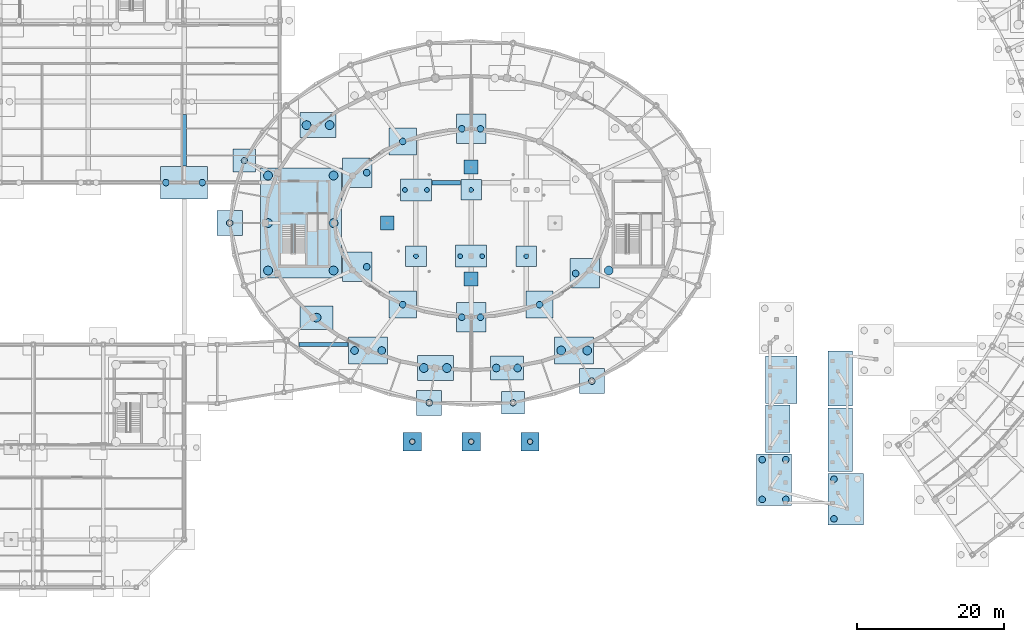
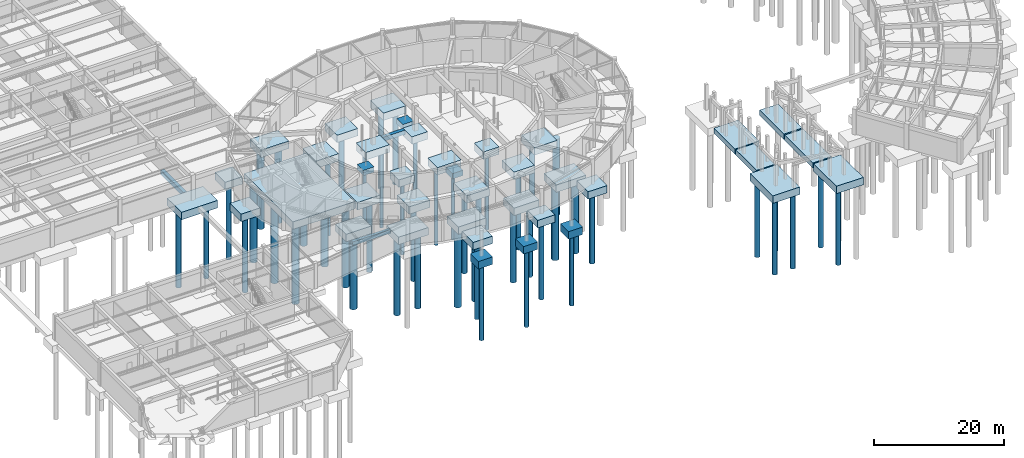
# One storey, part 2 of 42: 51 piles, 41 footings.
"""IFC4 building model written with IfcOpenShell, lengths in metres."""

from ifc_helpers import new_model, si_unit, direction, frame, origin, origin_2d, place, context, subcontext, project, spatial, polyline, rectangle, circle, outline, extrude, material, material_profile, profile_set, type_object, element, save


model = new_model("IFC4")

# Units and contexts
model_context = context("Model", 3, precision=1e-05, world=origin(), true_north=direction((0.0, 1.0)))
body_context = subcontext(model_context, "Body", "Model", "MODEL_VIEW")
ifc_project = project(units=[si_unit("LENGTHUNIT", "METRE"), si_unit("AREAUNIT", "SQUARE_METRE"), si_unit("VOLUMEUNIT", "CUBIC_METRE"), si_unit("PLANEANGLEUNIT", "RADIAN"), si_unit("MASSUNIT", "GRAM", prefix="KILO")], contexts=[model_context])

# Site, building, storey
site_placement = place(None, origin())
site = spatial("IfcSite", under=ifc_project, at=site_placement, CompositionType="ELEMENT")
building_placement = place(site_placement, origin())
building = spatial("IfcBuilding", under=site, at=building_placement, Name="Tarnveldt Headland Concert Hall", CompositionType="ELEMENT")
storey_placement = place(building_placement, frame((0.0, 0.0, -4.800048828125)))
storey = spatial("IfcBuildingStorey", under=building, at=storey_placement, Name="B1", CompositionType="ELEMENT", Elevation=-4.800048828125)

# Footings
ifc_material = material(Name="Concrete C40/50", Category="concrete")
footing_type_1 = type_object("IfcFootingType", Name="FB-01", PredefinedType="FOOTING_BEAM", material=ifc_material)
footing_1_placement = place(storey_placement, frame((0.0, 0.0, -0.699951171875)))
element("IfcFooting", 1, at=footing_1_placement, inside=storey, type_object=footing_type_1, Name="Foundation tie beam 10", PredefinedType="FOOTING_BEAM", context=body_context, shape_type="SweptSolid", body=[
    extrude(outline(polyline([(66.800048828125, 37.75), (66.800048828125, 38.25), (60.123779296875, 38.25), (60.123779296875, 37.75), (66.800048828125, 37.75)])), origin(), (0.0, 0.0, 1.0), 0.699951171875),
])
footing_type_2 = type_object("IfcFootingType", Name="FB-02", PredefinedType="FOOTING_BEAM", material=ifc_material)
footing_2_placement = place(storey_placement, frame((0.0, 0.0, -0.800048828125)))
element("IfcFooting", 2, at=footing_2_placement, inside=storey, type_object=footing_type_2, Name="Foundation tie beam 17", PredefinedType="FOOTING_BEAM", context=body_context, shape_type="SweptSolid", body=[
    extrude(outline(polyline([(82.050048828125, 59.699951171875), (82.050048828125, 60.300048828125), (78.14990234375, 60.300048828125), (78.14990234375, 59.699951171875), (82.050048828125, 59.699951171875)])), origin(), (0.0, 0.0, 1.0), 0.800048828125),
])
footing_3_placement = place(storey_placement, frame((0.0, 0.0, -0.800048828125)))
element("IfcFooting", 3, at=footing_3_placement, inside=storey, type_object=footing_type_2, Name="Foundation strip beam 38", PredefinedType="FOOTING_BEAM", context=body_context, shape_type="SweptSolid", body=[
    extrude(outline(polyline([(44.800048828125, 62.25), (44.800048828125, 69.25), (44.199951171875, 69.25), (44.199951171875, 62.25), (44.800048828125, 62.25)])), origin(), (0.0, 0.0, 1.0), 0.800048828125),
])
footing_type_3 = type_object("IfcFootingType", Name="PC-01", PredefinedType="PILE_CAP", material=ifc_material)
for number, where, z_axis, x_axis, name in (
    (4, (75.5, 24.800048828125, -1.39990234375), (0.0, 0.0, 1.0), (1.0, 0.0, 0.0), "Foundation V1CAN01"),
    (5, (83.5, 24.800048828125, -1.39990234375), (0.0, 0.0, 1.0), (1.0, 0.0, 0.0), "Foundation V1CAN02"),
    (6, (91.5, 24.800048828125, -1.39990234375), (0.0, 0.0, 1.0), (1.0, 0.0, 0.0), "Foundation V1CAN03"),
):
    element("IfcFooting", number, at=place(storey_placement, frame(where, z_axis=z_axis, x_axis=x_axis)), inside=storey, type_object=footing_type_3, Name=name, PredefinedType="PILE_CAP", context=body_context, shape_type="SweptSolid", body=[
        extrude(rectangle(XDim=2.5, YDim=2.5, at=origin_2d()), origin(), (0.0, 0.0, 1.0), 1.39990234375),
    ])
footing_type_4 = type_object("IfcFootingType", Name="PC-02", PredefinedType="PILE_CAP", material=ifc_material)
for number, where, z_axis, x_axis, name in (
    (7, (76.0, 50.0, -1.39990234375), (0.0, 0.0, 1.0), (1.0, 0.0, 0.0), "Foundation V2STG01"),
    (8, (91.0, 50.0, -1.39990234375), (0.0, 0.0, 1.0), (1.0, 0.0, 0.0), "Foundation V2STG03"),
    (9, (83.5, 59.0, -1.39990234375), (0.0, 0.0, 1.0), (1.0, 0.0, 0.0), "Foundation V2STG05"),
):
    element("IfcFooting", number, at=place(storey_placement, frame(where, z_axis=z_axis, x_axis=x_axis)), inside=storey, type_object=footing_type_4, Name=name, PredefinedType="PILE_CAP", context=body_context, shape_type="SweptSolid", body=[
        extrude(rectangle(XDim=2.800048828125, YDim=2.800048828125, at=origin_2d()), origin(), (0.0, 0.0, 1.0), 1.39990234375),
    ])
footing_type_5 = type_object("IfcFootingType", Name="PC-03", PredefinedType="PILE_CAP", material=ifc_material)
for number, where, z_axis, x_axis, name in (
    (10, (52.677978515625, 62.982177734375, -1.39990234375), (0.0, 0.0, 1.0), (1.0, 0.0, 0.0), "Foundation V1C09"),
    (11, (89.19580078125, 30.076904296875, -1.39990234375), (0.0, 0.0, 1.0), (1.0, 0.0, 0.0), "Foundation V1C15"),
):
    element("IfcFooting", number, at=place(storey_placement, frame(where, z_axis=z_axis, x_axis=x_axis)), inside=storey, type_object=footing_type_5, Name=name, PredefinedType="PILE_CAP", context=body_context, shape_type="SweptSolid", body=[
        extrude(rectangle(XDim=3.10009765625, YDim=3.10009765625, at=origin_2d()), origin(), (0.0, 0.0, 1.0), 1.39990234375),
    ])
footing_type_6 = type_object("IfcFootingType", Name="PC-04", PredefinedType="PILE_CAP", material=ifc_material)
for number, where, z_axis, x_axis, name in (
    (12, (50.699951171875, 54.5, -1.39990234375), (0.0, 0.0, 1.0), (1.0, 0.0, 0.0), "Foundation V1C10"),
    (13, (77.80419921875, 30.076904296875, -1.39990234375), (0.0, 0.0, 1.0), (1.0, 0.0, 0.0), "Foundation V1C14"),
    (14, (99.89990234375, 33.022705078125, -1.39990234375), (0.0, 0.0, 1.0), (1.0, 0.0, 0.0), "Foundation V1C16"),
):
    element("IfcFooting", number, at=place(storey_placement, frame(where, z_axis=z_axis, x_axis=x_axis)), inside=storey, type_object=footing_type_6, Name=name, PredefinedType="PILE_CAP", context=body_context, shape_type="SweptSolid", body=[
        extrude(rectangle(XDim=3.39990234375, YDim=3.39990234375, at=origin_2d()), origin(), (0.0, 0.0, 1.0), 1.39990234375),
    ])
footing_type_7 = type_object("IfcFootingType", Name="PC-05", PredefinedType="PILE_CAP", material=ifc_material)
for number, where, z_axis, x_axis, name in (
    (15, (74.199951171875, 65.585205078125, -1.39990234375), (0.0, 0.0, 1.0), (1.0, 0.0, 0.0), "Foundation V2IC05"),
    (16, (74.199951171875, 43.414794921875, -1.39990234375), (0.0, 0.0, 1.0), (1.0, 0.0, 0.0), "Foundation V2IC09"),
    (17, (92.800048828125, 43.414794921875, -1.39990234375), (0.0, 0.0, 1.0), (1.0, 0.0, 0.0), "Foundation V2IC11"),
):
    element("IfcFooting", number, at=place(storey_placement, frame(where, z_axis=z_axis, x_axis=x_axis)), inside=storey, type_object=footing_type_7, Name=name, PredefinedType="PILE_CAP", context=body_context, shape_type="SweptSolid", body=[
        extrude(rectangle(XDim=3.699951171875, YDim=3.699951171875, at=origin_2d()), origin(), (0.0, 0.0, 1.0), 1.39990234375),
    ])
footing_type_8 = type_object("IfcFootingType", Name="PC-06", PredefinedType="PILE_CAP", material=ifc_material)
for number, where, z_axis, x_axis, name in (
    (18, (83.5, 67.300048828125, -1.39990234375), (0.0, 0.0, 1.0), (1.0, 0.0, 0.0), "Foundation V2IC04"),
    (19, (68.0419921875, 61.35009765625, -1.39990234375), (0.0, 0.0, 1.0), (1.0, 0.0, 0.0), "Foundation V2IC06"),
    (20, (68.0419921875, 48.550048828125, -1.39990234375), (0.0, 0.0, 1.0), (1.0, 0.0, 0.0), "Foundation V2IC08"),
    (21, (83.5, 41.699951171875, -1.39990234375), (0.0, 0.0, 1.0), (1.0, 0.0, 0.0), "Foundation V2IC10"),
    (22, (98.9580078125, 47.64990234375, -1.39990234375), (0.0, 0.0, 1.0), (1.0, 0.0, 0.0), "Foundation V2IC12"),
):
    element("IfcFooting", number, at=place(storey_placement, frame(where, z_axis=z_axis, x_axis=x_axis)), inside=storey, type_object=footing_type_8, Name=name, PredefinedType="PILE_CAP", context=body_context, shape_type="SweptSolid", body=[
        extrude(rectangle(XDim=4.0, YDim=4.0, at=origin_2d()), origin(), (0.0, 0.0, 1.0), 1.39990234375),
    ])
footing_type_9 = type_object("IfcFootingType", Name="PC-07", PredefinedType="PILE_CAP", material=ifc_material)
for number, where, z_axis, x_axis, name in (
    (23, (83.5, 50.0, -1.39990234375), (0.0, 0.0, 1.0), (1.0, 0.0, 0.0), "Foundation V2STG02"),
    (24, (76.0, 59.0, -1.39990234375), (0.0, 0.0, 1.0), (1.0, 0.0, 0.0), "Foundation V2STG04"),
):
    element("IfcFooting", number, at=place(storey_placement, frame(where, z_axis=z_axis, x_axis=x_axis)), inside=storey, type_object=footing_type_9, Name=name, PredefinedType="PILE_CAP", context=body_context, shape_type="SweptSolid", body=[
        extrude(rectangle(XDim=4.199951171875, YDim=3.0, at=origin_2d()), origin(), (0.0, 0.0, 1.0), 1.39990234375),
    ])
footing_type_10 = type_object("IfcFootingType", Name="PC-08", PredefinedType="PILE_CAP", material=ifc_material)
for number, where, z_axis, x_axis, name in (
    (25, (62.500732421875, 41.644287109375, -1.39990234375), (0.0, 0.0, 1.0), (1.0, 0.0, 0.0), "Foundation V2DC12"),
    (26, (88.362060546875, 34.8037109375, -1.39990234375), (0.0, 0.0, 1.0), (1.0, 0.0, 0.0), "Foundation V2DC15"),
):
    element("IfcFooting", number, at=place(storey_placement, frame(where, z_axis=z_axis, x_axis=x_axis)), inside=storey, type_object=footing_type_10, Name=name, PredefinedType="PILE_CAP", context=body_context, shape_type="SweptSolid", body=[
        extrude(rectangle(XDim=4.5, YDim=3.199951171875, at=origin_2d()), origin(), (0.0, 0.0, 1.0), 1.39990234375),
    ])
footing_type_11 = type_object("IfcFootingType", Name="PC-09", PredefinedType="PILE_CAP", material=ifc_material)
for number, where, z_axis, x_axis, name in (
    (27, (62.70068359375, 67.805908203125, -1.39990234375), (0.0, 0.0, 1.0), (1.0, 0.0, 0.0), "Foundation V2DC08"),
    (28, (78.637939453125, 34.8037109375, -1.39990234375), (0.0, 0.0, 1.0), (1.0, 0.0, 0.0), "Foundation V2DC14"),
):
    element("IfcFooting", number, at=place(storey_placement, frame(where, z_axis=z_axis, x_axis=x_axis)), inside=storey, type_object=footing_type_11, Name=name, PredefinedType="PILE_CAP", context=body_context, shape_type="SweptSolid", body=[
        extrude(rectangle(XDim=4.89990234375, YDim=3.39990234375, at=origin_2d()), origin(), (0.0, 0.0, 1.0), 1.39990234375),
    ])
footing_type_12 = type_object("IfcFootingType", Name="PC-10", PredefinedType="PILE_CAP", material=ifc_material)
for number, where, z_axis, x_axis, name in (
    (29, (69.5, 37.179443359375, -1.39990234375), (0.0, 0.0, 1.0), (1.0, 0.0, 0.0), "Foundation V2DC13"),
    (30, (97.5, 37.179443359375, -1.39990234375), (0.0, 0.0, 1.0), (1.0, 0.0, 0.0), "Foundation V2DC16"),
):
    element("IfcFooting", number, at=place(storey_placement, frame(where, z_axis=z_axis, x_axis=x_axis)), inside=storey, type_object=footing_type_12, Name=name, PredefinedType="PILE_CAP", context=body_context, shape_type="SweptSolid", body=[
        extrude(rectangle(XDim=5.300048828125, YDim=3.699951171875, at=origin_2d()), origin(), (0.0, 0.0, 1.0), 1.39990234375),
    ])
footing_type_13 = type_object("IfcFootingType", Name="PC-12", PredefinedType="PILE_CAP", material=ifc_material)
footing_4_placement = place(storey_placement, frame((44.5, 60.0, -1.39990234375), z_axis=(0.0, 0.0, 1.0), x_axis=(1.0, 0.0, 0.0)))
element("IfcFooting", 31, at=footing_4_placement, inside=storey, type_object=footing_type_13, Name="Foundation V5C16", PredefinedType="PILE_CAP", context=body_context, shape_type="SweptSolid", body=[
    extrude(rectangle(XDim=6.39990234375, YDim=4.39990234375, at=origin_2d()), origin(), (0.0, 0.0, 1.0), 1.39990234375),
])
footing_type_14 = type_object("IfcFootingType", Name="PC-13", PredefinedType="PILE_CAP", material=ifc_material)
for number, where, z_axis, x_axis, name in (
    (32, (124.64990234375, 19.64990234375, -1.39990234375), (0.0, 0.0, 1.0), (1.0, 0.0, 0.0), "Combined pile cap RMPW1S"),
    (33, (134.39990234375, 17.0, -1.39990234375), (0.0, 0.0, 1.0), (1.0, 0.0, 0.0), "Combined pile cap RMPE1S"),
):
    element("IfcFooting", number, at=place(storey_placement, frame(where, z_axis=z_axis, x_axis=x_axis)), inside=storey, type_object=footing_type_14, Name=name, PredefinedType="PILE_CAP", context=body_context, shape_type="SweptSolid", body=[
        extrude(rectangle(XDim=4.800048828125, YDim=7.0, at=origin_2d()), origin(), (0.0, 0.0, 1.0), 1.39990234375),
    ])
footing_type_15 = type_object("IfcFootingType", Name="PC-16", PredefinedType="PILE_CAP", material=ifc_material)
footing_5_placement = place(storey_placement, frame((60.35009765625, 54.5, -1.39990234375), z_axis=(0.0, 0.0, 1.0), x_axis=(1.0, 0.0, 0.0)))
element("IfcFooting", 34, at=footing_5_placement, inside=storey, type_object=footing_type_15, Name="Core C1 pile cap", PredefinedType="PILE_CAP", context=body_context, shape_type="SweptSolid", body=[
    extrude(rectangle(XDim=11.0, YDim=15.0, at=origin_2d()), origin(), (0.0, 0.0, 1.0), 1.39990234375),
])
footing_type_16 = type_object("IfcFootingType", Name="PF-01", PredefinedType="PAD_FOOTING", material=ifc_material)
for number, where, z_axis, x_axis, name in (
    (35, (83.5, 62.10009765625, -1.0), (0.0, 0.0, 1.0), (1.0, 0.0, 0.0), "Tier ring pad footing 4"),
    (36, (72.10009765625, 54.5, -1.0), (0.0, 0.0, 1.0), (1.0, 0.0, 0.0), "Tier ring pad footing 7"),
    (37, (83.5, 46.89990234375, -1.0), (0.0, 0.0, 1.0), (1.0, 0.0, 0.0), "Tier ring pad footing 10"),
):
    element("IfcFooting", number, at=place(storey_placement, frame(where, z_axis=z_axis, x_axis=x_axis)), inside=storey, type_object=footing_type_16, Name=name, PredefinedType="PAD_FOOTING", context=body_context, shape_type="SweptSolid", body=[
        extrude(rectangle(XDim=1.89990234375, YDim=1.89990234375, at=origin_2d()), origin(), (0.0, 0.0, 1.0), 1.0),
    ])
footing_type_17 = type_object("IfcFootingType", Name="PF-07", PredefinedType="PAD_FOOTING", material=ifc_material)
footing_6_placement = place(storey_placement, frame((125.14990234375, 26.550048828125, -1.0), z_axis=(0.0, 0.0, 1.0), x_axis=(1.0, 0.0, 0.0)))
element("IfcFooting", 38, at=footing_6_placement, inside=storey, type_object=footing_type_17, Name="Combined ramp pad footing W2", PredefinedType="PAD_FOOTING", context=body_context, shape_type="SweptSolid", body=[
    extrude(rectangle(XDim=3.300048828125, YDim=6.39990234375, at=origin_2d()), origin(), (0.0, 0.0, 1.0), 1.0),
])
footing_type_18 = type_object("IfcFootingType", Name="PF-08", PredefinedType="PAD_FOOTING", material=ifc_material)
footing_7_placement = place(storey_placement, frame((125.64990234375, 33.199951171875, -1.0), z_axis=(0.0, 0.0, 1.0), x_axis=(1.0, 0.0, 0.0)))
element("IfcFooting", 39, at=footing_7_placement, inside=storey, type_object=footing_type_18, Name="Combined ramp pad footing W3", PredefinedType="PAD_FOOTING", context=body_context, shape_type="SweptSolid", body=[
    extrude(rectangle(XDim=4.300048828125, YDim=6.5, at=origin_2d()), origin(), (0.0, 0.0, 1.0), 1.0),
])
footing_type_19 = type_object("IfcFootingType", Name="PF-09", PredefinedType="PAD_FOOTING", material=ifc_material)
footing_8_placement = place(storey_placement, frame((133.64990234375, 25.074951171875, -1.0), z_axis=(0.0, 0.0, 1.0), x_axis=(1.0, 0.0, 0.0)))
element("IfcFooting", 40, at=footing_8_placement, inside=storey, type_object=footing_type_19, Name="Combined ramp pad footing E2", PredefinedType="PAD_FOOTING", context=body_context, shape_type="SweptSolid", body=[
    extrude(rectangle(XDim=3.300048828125, YDim=8.64990234375, at=origin_2d()), origin(), (0.0, 0.0, 1.0), 1.0),
])
footing_type_20 = type_object("IfcFootingType", Name="PF-10", PredefinedType="PAD_FOOTING", material=ifc_material)
footing_9_placement = place(storey_placement, frame((133.64990234375, 33.375, -1.0), z_axis=(0.0, 0.0, 1.0), x_axis=(1.0, 0.0, 0.0)))
element("IfcFooting", 41, at=footing_9_placement, inside=storey, type_object=footing_type_20, Name="Combined ramp pad footing E3", PredefinedType="PAD_FOOTING", context=body_context, shape_type="SweptSolid", body=[
    extrude(rectangle(XDim=3.300048828125, YDim=7.449951171875, at=origin_2d()), origin(), (0.0, 0.0, 1.0), 1.0),
])

# Piles
ifc_material_profile_1 = material_profile(ifc_material, circle(Radius=0.52490234375, at=origin_2d()), Name="BORED PILE D1050", Category="concrete")
ifc_profile_set_1 = profile_set([ifc_material_profile_1], Name="Concrete C40/50")
pile_type_1 = type_object("IfcPileType", Name="PL-1050", PredefinedType="BORED", material=ifc_profile_set_1)
for number, where, z_axis, x_axis, name in (
    (42, (67.655029296875, 37.179443359375, -1.300048828125), (0.0, 0.0, -1.0), (1.0, 0.0, 0.0), "Bored pile PILE-V2DC13-01"),
    (43, (71.344970703125, 37.179443359375, -1.300048828125), (0.0, 0.0, -1.0), (1.0, 0.0, 0.0), "Bored pile PILE-V2DC13-02"),
):
    element("IfcPile", number, at=place(storey_placement, frame(where, z_axis=z_axis, x_axis=x_axis)), inside=storey, type_object=pile_type_1, Name=name, PredefinedType="BORED", context=body_context, shape_type="SweptSolid", body=[
        extrude(circle(Radius=0.52490234375, at=origin_2d()), origin(), (0.0, 0.0, 1.0), 14.5),
    ])
for number, where, z_axis, x_axis, name in (
    (44, (86.9169921875, 34.8037109375, -1.300048828125), (0.0, 0.0, -1.0), (1.0, 0.0, 0.0), "Bored pile PILE-V2DC15-01"),
    (45, (89.80712890625, 34.8037109375, -1.300048828125), (0.0, 0.0, -1.0), (1.0, 0.0, 0.0), "Bored pile PILE-V2DC15-02"),
):
    element("IfcPile", number, at=place(storey_placement, frame(where, z_axis=z_axis, x_axis=x_axis)), inside=storey, type_object=pile_type_1, Name=name, PredefinedType="BORED", context=body_context, shape_type="SweptSolid", body=[
        extrude(circle(Radius=0.52490234375, at=origin_2d()), origin(), (0.0, 0.0, 1.0), 13.60009765625),
    ])
ifc_material_profile_2 = material_profile(ifc_material, circle(Radius=0.60009765625, at=origin_2d()), Name="BORED PILE D1200", Category="concrete")
ifc_profile_set_2 = profile_set([ifc_material_profile_2], Name="Concrete C40/50")
pile_type_2 = type_object("IfcPileType", Name="PL-1200", PredefinedType="BORED", material=ifc_profile_set_2)
for number, where, z_axis, x_axis, name in (
    (46, (55.89990234375, 48.050048828125, -1.300048828125), (0.0, 0.0, -1.0), (1.0, 0.0, 0.0), "Bored pile PILE-C1-01"),
    (47, (64.800048828125, 48.050048828125, -1.300048828125), (0.0, 0.0, -1.0), (1.0, 0.0, 0.0), "Bored pile PILE-C1-02"),
    (48, (55.89990234375, 54.5, -1.300048828125), (0.0, 0.0, -1.0), (1.0, 0.0, 0.0), "Bored pile PILE-C1-03"),
    (49, (64.800048828125, 54.5, -1.300048828125), (0.0, 0.0, -1.0), (1.0, 0.0, 0.0), "Bored pile PILE-C1-04"),
    (50, (55.89990234375, 60.949951171875, -1.300048828125), (0.0, 0.0, -1.0), (1.0, 0.0, 0.0), "Bored pile PILE-C1-05"),
    (51, (64.800048828125, 60.949951171875, -1.300048828125), (0.0, 0.0, -1.0), (1.0, 0.0, 0.0), "Bored pile PILE-C1-06"),
):
    element("IfcPile", number, at=place(storey_placement, frame(where, z_axis=z_axis, x_axis=x_axis)), inside=storey, type_object=pile_type_2, Name=name, PredefinedType="BORED", context=body_context, shape_type="SweptSolid", body=[
        extrude(circle(Radius=0.60009765625, at=origin_2d()), origin(), (0.0, 0.0, 1.0), 14.800048828125),
    ])
pile_1_placement = place(storey_placement, frame((102.199951171875, 48.050048828125, -1.300048828125), z_axis=(0.0, 0.0, -1.0), x_axis=(1.0, 0.0, 0.0)))
element("IfcPile", 52, at=pile_1_placement, inside=storey, type_object=pile_type_2, Name="Bored pile PILE-C2-01", PredefinedType="BORED", context=body_context, shape_type="SweptSolid", body=[
    extrude(circle(Radius=0.60009765625, at=origin_2d()), origin(), (0.0, 0.0, 1.0), 14.300048828125),
])
for number, where, z_axis, x_axis, name in (
    (53, (61.130859375, 67.805908203125, -1.300048828125), (0.0, 0.0, -1.0), (1.0, 0.0, 0.0), "Bored pile PILE-V2DC08-01"),
    (54, (64.270751953125, 67.805908203125, -1.300048828125), (0.0, 0.0, -1.0), (1.0, 0.0, 0.0), "Bored pile PILE-V2DC08-02"),
):
    element("IfcPile", number, at=place(storey_placement, frame(where, z_axis=z_axis, x_axis=x_axis)), inside=storey, type_object=pile_type_2, Name=name, PredefinedType="BORED", context=body_context, shape_type="SweptSolid", body=[
        extrude(circle(Radius=0.60009765625, at=origin_2d()), origin(), (0.0, 0.0, 1.0), 14.5),
    ])
pile_2_placement = place(storey_placement, frame((62.500732421875, 41.644287109375, -1.300048828125), z_axis=(0.0, 0.0, -1.0), x_axis=(1.0, 0.0, 0.0)))
element("IfcPile", 55, at=pile_2_placement, inside=storey, type_object=pile_type_2, Name="Bored pile PILE-V2DC12-01", PredefinedType="BORED", context=body_context, shape_type="SweptSolid", body=[
    extrude(circle(Radius=0.60009765625, at=origin_2d()), origin(), (0.0, 0.0, 1.0), 14.199951171875),
])
for number, where, z_axis, x_axis, name in (
    (56, (77.06787109375, 34.8037109375, -1.300048828125), (0.0, 0.0, -1.0), (1.0, 0.0, 0.0), "Bored pile PILE-V2DC14-01"),
    (57, (80.2080078125, 34.8037109375, -1.300048828125), (0.0, 0.0, -1.0), (1.0, 0.0, 0.0), "Bored pile PILE-V2DC14-02"),
):
    element("IfcPile", number, at=place(storey_placement, frame(where, z_axis=z_axis, x_axis=x_axis)), inside=storey, type_object=pile_type_2, Name=name, PredefinedType="BORED", context=body_context, shape_type="SweptSolid", body=[
        extrude(circle(Radius=0.60009765625, at=origin_2d()), origin(), (0.0, 0.0, 1.0), 14.800048828125),
    ])
for number, where, z_axis, x_axis, name in (
    (58, (95.72998046875, 37.179443359375, -1.300048828125), (0.0, 0.0, -1.0), (1.0, 0.0, 0.0), "Bored pile PILE-V2DC16-01"),
    (59, (99.27001953125, 37.179443359375, -1.300048828125), (0.0, 0.0, -1.0), (1.0, 0.0, 0.0), "Bored pile PILE-V2DC16-02"),
):
    element("IfcPile", number, at=place(storey_placement, frame(where, z_axis=z_axis, x_axis=x_axis)), inside=storey, type_object=pile_type_2, Name=name, PredefinedType="BORED", context=body_context, shape_type="SweptSolid", body=[
        extrude(circle(Radius=0.60009765625, at=origin_2d()), origin(), (0.0, 0.0, 1.0), 13.89990234375),
    ])
ifc_material_profile_3 = material_profile(ifc_material, circle(Radius=0.324951171875, at=origin_2d()), Name="BORED PILE D650", Category="concrete")
ifc_profile_set_3 = profile_set([ifc_material_profile_3], Name="Concrete C40/50")
pile_type_3 = type_object("IfcPileType", Name="PL-650", PredefinedType="BORED", material=ifc_profile_set_3)
pile_3_placement = place(storey_placement, frame((76.0, 50.0, -1.300048828125), z_axis=(0.0, 0.0, -1.0), x_axis=(1.0, 0.0, 0.0)))
element("IfcPile", 60, at=pile_3_placement, inside=storey, type_object=pile_type_3, Name="Bored pile PILE-V2STG01-01", PredefinedType="BORED", context=body_context, shape_type="SweptSolid", body=[
    extrude(circle(Radius=0.324951171875, at=origin_2d()), origin(), (0.0, 0.0, 1.0), 13.89990234375),
])
for number, where, z_axis, x_axis, name in (
    (61, (82.0048828125, 50.0, -1.300048828125), (0.0, 0.0, -1.0), (1.0, 0.0, 0.0), "Bored pile PILE-V2STG02-01"),
    (62, (84.9951171875, 50.0, -1.300048828125), (0.0, 0.0, -1.0), (1.0, 0.0, 0.0), "Bored pile PILE-V2STG02-02"),
):
    element("IfcPile", number, at=place(storey_placement, frame(where, z_axis=z_axis, x_axis=x_axis)), inside=storey, type_object=pile_type_3, Name=name, PredefinedType="BORED", context=body_context, shape_type="SweptSolid", body=[
        extrude(circle(Radius=0.324951171875, at=origin_2d()), origin(), (0.0, 0.0, 1.0), 14.199951171875),
    ])
pile_4_placement = place(storey_placement, frame((91.0, 50.0, -1.300048828125), z_axis=(0.0, 0.0, -1.0), x_axis=(1.0, 0.0, 0.0)))
element("IfcPile", 63, at=pile_4_placement, inside=storey, type_object=pile_type_3, Name="Bored pile PILE-V2STG03-01", PredefinedType="BORED", context=body_context, shape_type="SweptSolid", body=[
    extrude(circle(Radius=0.324951171875, at=origin_2d()), origin(), (0.0, 0.0, 1.0), 14.5),
])
for number, where, z_axis, x_axis, name in (
    (64, (74.5048828125, 59.0, -1.300048828125), (0.0, 0.0, -1.0), (1.0, 0.0, 0.0), "Bored pile PILE-V2STG04-01"),
    (65, (77.4951171875, 59.0, -1.300048828125), (0.0, 0.0, -1.0), (1.0, 0.0, 0.0), "Bored pile PILE-V2STG04-02"),
):
    element("IfcPile", number, at=place(storey_placement, frame(where, z_axis=z_axis, x_axis=x_axis)), inside=storey, type_object=pile_type_3, Name=name, PredefinedType="BORED", context=body_context, shape_type="SweptSolid", body=[
        extrude(circle(Radius=0.324951171875, at=origin_2d()), origin(), (0.0, 0.0, 1.0), 14.800048828125),
    ])
pile_5_placement = place(storey_placement, frame((83.5, 59.0, -1.300048828125), z_axis=(0.0, 0.0, -1.0), x_axis=(1.0, 0.0, 0.0)))
element("IfcPile", 66, at=pile_5_placement, inside=storey, type_object=pile_type_3, Name="Bored pile PILE-V2STG05-01", PredefinedType="BORED", context=body_context, shape_type="SweptSolid", body=[
    extrude(circle(Radius=0.324951171875, at=origin_2d()), origin(), (0.0, 0.0, 1.0), 13.60009765625),
])
ifc_material_profile_4 = material_profile(ifc_material, circle(Radius=0.375, at=origin_2d()), Name="BORED PILE D750", Category="concrete")
ifc_profile_set_4 = profile_set([ifc_material_profile_4], Name="Concrete C40/50")
pile_type_4 = type_object("IfcPileType", Name="PL-750", PredefinedType="BORED", material=ifc_profile_set_4)
pile_6_placement = place(storey_placement, frame((75.5, 24.800048828125, -1.300048828125), z_axis=(0.0, 0.0, -1.0), x_axis=(1.0, 0.0, 0.0)))
element("IfcPile", 67, at=pile_6_placement, inside=storey, type_object=pile_type_4, Name="Bored pile PILE-V1CAN01-01", PredefinedType="BORED", context=body_context, shape_type="SweptSolid", body=[
    extrude(circle(Radius=0.375, at=origin_2d()), origin(), (0.0, 0.0, 1.0), 14.5),
])
pile_7_placement = place(storey_placement, frame((83.5, 24.800048828125, -1.300048828125), z_axis=(0.0, 0.0, -1.0), x_axis=(1.0, 0.0, 0.0)))
element("IfcPile", 68, at=pile_7_placement, inside=storey, type_object=pile_type_4, Name="Bored pile PILE-V1CAN02-01", PredefinedType="BORED", context=body_context, shape_type="SweptSolid", body=[
    extrude(circle(Radius=0.375, at=origin_2d()), origin(), (0.0, 0.0, 1.0), 14.800048828125),
])
pile_8_placement = place(storey_placement, frame((91.5, 24.800048828125, -1.300048828125), z_axis=(0.0, 0.0, -1.0), x_axis=(1.0, 0.0, 0.0)))
element("IfcPile", 69, at=pile_8_placement, inside=storey, type_object=pile_type_4, Name="Bored pile PILE-V1CAN03-01", PredefinedType="BORED", context=body_context, shape_type="SweptSolid", body=[
    extrude(circle(Radius=0.375, at=origin_2d()), origin(), (0.0, 0.0, 1.0), 13.60009765625),
])
ifc_material_profile_5 = material_profile(ifc_material, circle(Radius=0.425048828125, at=origin_2d()), Name="BORED PILE D850", Category="concrete")
ifc_profile_set_5 = profile_set([ifc_material_profile_5], Name="Concrete C40/50")
pile_type_5 = type_object("IfcPileType", Name="PL-850", PredefinedType="BORED", material=ifc_profile_set_5)
pile_9_placement = place(storey_placement, frame((52.677978515625, 62.982177734375, -1.300048828125), z_axis=(0.0, 0.0, -1.0), x_axis=(1.0, 0.0, 0.0)))
element("IfcPile", 70, at=pile_9_placement, inside=storey, type_object=pile_type_5, Name="Bored pile PILE-V1C09-01", PredefinedType="BORED", context=body_context, shape_type="SweptSolid", body=[
    extrude(circle(Radius=0.425048828125, at=origin_2d()), origin(), (0.0, 0.0, 1.0), 14.5),
])
pile_10_placement = place(storey_placement, frame((89.19580078125, 30.076904296875, -1.300048828125), z_axis=(0.0, 0.0, -1.0), x_axis=(1.0, 0.0, 0.0)))
element("IfcPile", 71, at=pile_10_placement, inside=storey, type_object=pile_type_5, Name="Bored pile PILE-V1C15-01", PredefinedType="BORED", context=body_context, shape_type="SweptSolid", body=[
    extrude(circle(Radius=0.425048828125, at=origin_2d()), origin(), (0.0, 0.0, 1.0), 14.800048828125),
])
ifc_material_profile_6 = material_profile(ifc_material, circle(Radius=0.449951171875, at=origin_2d()), Name="BORED PILE D900", Category="concrete")
ifc_profile_set_6 = profile_set([ifc_material_profile_6], Name="Concrete C40/50")
pile_type_6 = type_object("IfcPileType", Name="PL-900", PredefinedType="BORED", material=ifc_profile_set_6)
for number, where, z_axis, x_axis, name in (
    (72, (123.050048828125, 16.949951171875, -1.300048828125), (0.0, 0.0, -1.0), (1.0, 0.0, 0.0), "Bored pile PILE-RMPW1S-01"),
    (73, (126.25, 16.949951171875, -1.300048828125), (0.0, 0.0, -1.0), (1.0, 0.0, 0.0), "Bored pile PILE-RMPW1S-02"),
    (74, (123.050048828125, 22.35009765625, -1.300048828125), (0.0, 0.0, -1.0), (1.0, 0.0, 0.0), "Bored pile PILE-RMPW1S-03"),
    (75, (126.25, 22.35009765625, -1.300048828125), (0.0, 0.0, -1.0), (1.0, 0.0, 0.0), "Bored pile PILE-RMPW1S-04"),
    (76, (132.800048828125, 14.300048828125, -1.300048828125), (0.0, 0.0, -1.0), (1.0, 0.0, 0.0), "Bored pile PILE-RMPE1S-01"),
    (77, (132.800048828125, 19.699951171875, -1.300048828125), (0.0, 0.0, -1.0), (1.0, 0.0, 0.0), "Bored pile PILE-RMPE1S-03"),
):
    element("IfcPile", number, at=place(storey_placement, frame(where, z_axis=z_axis, x_axis=x_axis)), inside=storey, type_object=pile_type_6, Name=name, PredefinedType="BORED", context=body_context, shape_type="SweptSolid", body=[
        extrude(circle(Radius=0.449951171875, at=origin_2d()), origin(), (0.0, 0.0, 1.0), 14.0),
    ])
pile_11_placement = place(storey_placement, frame((50.699951171875, 54.5, -1.300048828125), z_axis=(0.0, 0.0, -1.0), x_axis=(1.0, 0.0, 0.0)))
element("IfcPile", 78, at=pile_11_placement, inside=storey, type_object=pile_type_6, Name="Bored pile PILE-V1C10-01", PredefinedType="BORED", context=body_context, shape_type="SweptSolid", body=[
    extrude(circle(Radius=0.449951171875, at=origin_2d()), origin(), (0.0, 0.0, 1.0), 14.800048828125),
])
pile_12_placement = place(storey_placement, frame((77.80419921875, 30.076904296875, -1.300048828125), z_axis=(0.0, 0.0, -1.0), x_axis=(1.0, 0.0, 0.0)))
element("IfcPile", 79, at=pile_12_placement, inside=storey, type_object=pile_type_6, Name="Bored pile PILE-V1C14-01", PredefinedType="BORED", context=body_context, shape_type="SweptSolid", body=[
    extrude(circle(Radius=0.449951171875, at=origin_2d()), origin(), (0.0, 0.0, 1.0), 14.5),
])
pile_13_placement = place(storey_placement, frame((99.89990234375, 33.022705078125, -1.300048828125), z_axis=(0.0, 0.0, -1.0), x_axis=(1.0, 0.0, 0.0)))
element("IfcPile", 80, at=pile_13_placement, inside=storey, type_object=pile_type_6, Name="Bored pile PILE-V1C16-01", PredefinedType="BORED", context=body_context, shape_type="SweptSolid", body=[
    extrude(circle(Radius=0.449951171875, at=origin_2d()), origin(), (0.0, 0.0, 1.0), 13.60009765625),
])
for number, where, z_axis, x_axis, name in (
    (81, (82.22998046875, 67.300048828125, -1.300048828125), (0.0, 0.0, -1.0), (1.0, 0.0, 0.0), "Bored pile PILE-V2IC04-01"),
    (82, (84.77001953125, 67.300048828125, -1.300048828125), (0.0, 0.0, -1.0), (1.0, 0.0, 0.0), "Bored pile PILE-V2IC04-02"),
):
    element("IfcPile", number, at=place(storey_placement, frame(where, z_axis=z_axis, x_axis=x_axis)), inside=storey, type_object=pile_type_6, Name=name, PredefinedType="BORED", context=body_context, shape_type="SweptSolid", body=[
        extrude(circle(Radius=0.449951171875, at=origin_2d()), origin(), (0.0, 0.0, 1.0), 14.199951171875),
    ])
pile_14_placement = place(storey_placement, frame((74.199951171875, 65.585205078125, -1.300048828125), z_axis=(0.0, 0.0, -1.0), x_axis=(1.0, 0.0, 0.0)))
element("IfcPile", 83, at=pile_14_placement, inside=storey, type_object=pile_type_6, Name="Bored pile PILE-V2IC05-01", PredefinedType="BORED", context=body_context, shape_type="SweptSolid", body=[
    extrude(circle(Radius=0.449951171875, at=origin_2d()), origin(), (0.0, 0.0, 1.0), 14.5),
])
pile_15_placement = place(storey_placement, frame((69.31201171875, 61.35009765625, -1.300048828125), z_axis=(0.0, 0.0, -1.0), x_axis=(1.0, 0.0, 0.0)))
element("IfcPile", 84, at=pile_15_placement, inside=storey, type_object=pile_type_6, Name="Bored pile PILE-V2IC06-01", PredefinedType="BORED", context=body_context, shape_type="SweptSolid", body=[
    extrude(circle(Radius=0.449951171875, at=origin_2d()), origin(), (0.0, 0.0, 1.0), 14.800048828125),
])
pile_16_placement = place(storey_placement, frame((69.31201171875, 48.550048828125, -1.300048828125), z_axis=(0.0, 0.0, -1.0), x_axis=(1.0, 0.0, 0.0)))
element("IfcPile", 85, at=pile_16_placement, inside=storey, type_object=pile_type_6, Name="Bored pile PILE-V2IC08-01", PredefinedType="BORED", context=body_context, shape_type="SweptSolid", body=[
    extrude(circle(Radius=0.449951171875, at=origin_2d()), origin(), (0.0, 0.0, 1.0), 13.89990234375),
])
pile_17_placement = place(storey_placement, frame((74.199951171875, 43.414794921875, -1.300048828125), z_axis=(0.0, 0.0, -1.0), x_axis=(1.0, 0.0, 0.0)))
element("IfcPile", 86, at=pile_17_placement, inside=storey, type_object=pile_type_6, Name="Bored pile PILE-V2IC09-01", PredefinedType="BORED", context=body_context, shape_type="SweptSolid", body=[
    extrude(circle(Radius=0.449951171875, at=origin_2d()), origin(), (0.0, 0.0, 1.0), 14.199951171875),
])
for number, where, z_axis, x_axis, name in (
    (87, (82.22998046875, 41.699951171875, -1.300048828125), (0.0, 0.0, -1.0), (1.0, 0.0, 0.0), "Bored pile PILE-V2IC10-01"),
    (88, (84.77001953125, 41.699951171875, -1.300048828125), (0.0, 0.0, -1.0), (1.0, 0.0, 0.0), "Bored pile PILE-V2IC10-02"),
):
    element("IfcPile", number, at=place(storey_placement, frame(where, z_axis=z_axis, x_axis=x_axis)), inside=storey, type_object=pile_type_6, Name=name, PredefinedType="BORED", context=body_context, shape_type="SweptSolid", body=[
        extrude(circle(Radius=0.449951171875, at=origin_2d()), origin(), (0.0, 0.0, 1.0), 14.5),
    ])
pile_18_placement = place(storey_placement, frame((92.800048828125, 43.414794921875, -1.300048828125), z_axis=(0.0, 0.0, -1.0), x_axis=(1.0, 0.0, 0.0)))
element("IfcPile", 89, at=pile_18_placement, inside=storey, type_object=pile_type_6, Name="Bored pile PILE-V2IC11-01", PredefinedType="BORED", context=body_context, shape_type="SweptSolid", body=[
    extrude(circle(Radius=0.449951171875, at=origin_2d()), origin(), (0.0, 0.0, 1.0), 14.800048828125),
])
pile_19_placement = place(storey_placement, frame((97.68798828125, 47.64990234375, -1.300048828125), z_axis=(0.0, 0.0, -1.0), x_axis=(1.0, 0.0, 0.0)))
element("IfcPile", 90, at=pile_19_placement, inside=storey, type_object=pile_type_6, Name="Bored pile PILE-V2IC12-01", PredefinedType="BORED", context=body_context, shape_type="SweptSolid", body=[
    extrude(circle(Radius=0.449951171875, at=origin_2d()), origin(), (0.0, 0.0, 1.0), 13.60009765625),
])
for number, where, z_axis, x_axis, name in (
    (91, (42.030029296875, 60.0, -1.300048828125), (0.0, 0.0, -1.0), (1.0, 0.0, 0.0), "Bored pile PILE-V5C16-01"),
    (92, (46.969970703125, 60.0, -1.300048828125), (0.0, 0.0, -1.0), (1.0, 0.0, 0.0), "Bored pile PILE-V5C16-02"),
):
    element("IfcPile", number, at=place(storey_placement, frame(where, z_axis=z_axis, x_axis=x_axis)), inside=storey, type_object=pile_type_6, Name=name, PredefinedType="BORED", context=body_context, shape_type="SweptSolid", body=[
        extrude(circle(Radius=0.449951171875, at=origin_2d()), origin(), (0.0, 0.0, 1.0), 14.199951171875),
    ])

save(model, "model.ifc")
